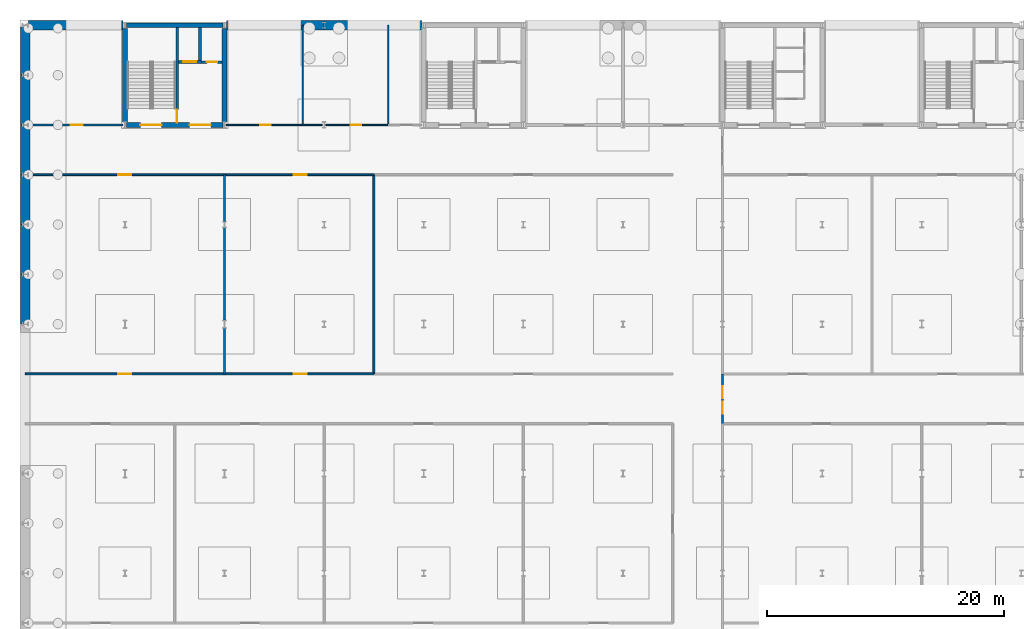
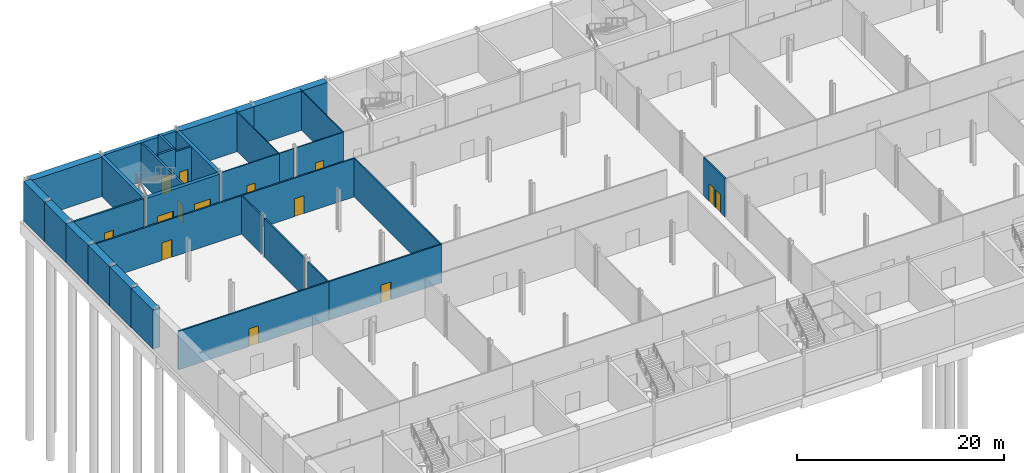
# One storey, part 14 of 22: 32 walls, 14 doors, 14 openings.
"""IFC4 building model written with IfcOpenShell, lengths in metres."""

from ifc_helpers import new_model, si_unit, direction, frame, frame_2d, origin, place, context, subcontext, project, spatial, rectangle, extrude, material, layer, layer_set, type_object, element, fill, save


model = new_model("IFC4")

# Units and contexts
model_context = context("Model", 3, precision=1e-05, world=origin(), true_north=direction((0.0, 1.0)))
body_context = subcontext(model_context, "Body", "Model", "MODEL_VIEW")
ifc_project = project(units=[si_unit("LENGTHUNIT", "METRE"), si_unit("AREAUNIT", "SQUARE_METRE"), si_unit("VOLUMEUNIT", "CUBIC_METRE"), si_unit("PLANEANGLEUNIT", "RADIAN"), si_unit("MASSUNIT", "GRAM", prefix="KILO")], contexts=[model_context])

# Site, building, storey
site_placement = place(None, origin())
site = spatial("IfcSite", under=ifc_project, at=site_placement, CompositionType="ELEMENT")
building_placement = place(site_placement, origin())
building = spatial("IfcBuilding", under=site, at=building_placement, Name="Galleria Vessillo Department Store", CompositionType="ELEMENT")
storey_placement = place(building_placement, frame((0.0, 0.0, -9.89990234375)))
storey = spatial("IfcBuildingStorey", under=building, at=storey_placement, Name="B2", CompositionType="ELEMENT", Elevation=-9.89990234375)

# Wall, opening, door
ifc_material_1 = material(Name="Insulated steel panel", Category="steel")
ifc_layer_1 = layer(ifc_material_1, 0.159912109375)
ifc_layer_set_1 = layer_set([ifc_layer_1], Name="Insulated steel panel")
wall_type_1 = type_object("IfcWallType", Name="Cold store insulated panel wall 160 mm", PredefinedType="PARTITIONING", material=ifc_layer_set_1)
wall_1_placement = place(storey_placement, frame((0.0, 33.60009765625, 0.0), z_axis=(0.0, 0.0, 1.0), x_axis=(1.0, 0.0, 0.0)))
wall_1 = element("IfcWall", 1, at=wall_1_placement, inside=storey, type_object=wall_type_1, Name="Partition wall PT5 on B2 no. 035", PredefinedType="PARTITIONING", context=body_context, shape_type="SweptSolid", body=[
    extrude(rectangle(XDim=16.800048828125, YDim=0.159912109375, at=frame_2d((8.39990234375, 0.0))), origin(), (0.0, 0.0, 1.0), 4.550048828125),
])
opening_1_placement = place(wall_1_placement, frame((7.85009765625, 0.0, 0.0)))
opening_1 = element("IfcOpeningElement", 2, at=opening_1_placement, cuts=wall_1, Name="Opening D2031", PredefinedType="OPENING", context=body_context, shape_type="SweptSolid", body=[
    extrude(rectangle(XDim=1.10009765625, YDim=2.10009765625, at=frame_2d((0.550048828125, 1.050048828125))), frame((0.0, 0.08984375, 0.0), z_axis=(0.0, -1.0, 0.0), x_axis=(1.0, 0.0, 0.0)), (0.0, 0.0, 1.0), 0.179931640625),
])
ifc_material_2 = material(Name="Steel fire door leaf", Category="steel")
door_type_1 = type_object("IfcDoorType", Name="Cold store insulated fire door 1100", OperationType="SINGLE_SWING_LEFT", PredefinedType="DOOR", material=ifc_material_2)
door_1_placement = place(opening_1_placement, origin())
door_1 = element("IfcDoor", 3, at=door_1_placement, inside=storey, type_object=door_type_1, Name="Door D2031", OperationType="SINGLE_SWING_LEFT", OverallHeight=2.10009765625, OverallWidth=1.10009765625, PredefinedType="DOOR", context=body_context, shape_type="SweptSolid", body=[
    extrude(rectangle(XDim=1.10009765625, YDim=2.10009765625, at=frame_2d((0.550048828125, 1.050048828125))), frame((0.0, 0.02490234375, 0.0), z_axis=(0.0, -1.0, 0.0), x_axis=(1.0, 0.0, 0.0)), (0.0, 0.0, 1.0), 0.050048828125),
])
fill(opening_1, door_1)

wall_2_placement = place(storey_placement, frame((16.800048828125, 33.60009765625, 0.0), z_axis=(0.0, 0.0, 1.0), x_axis=(1.0, 0.0, 0.0)))
wall_2 = element("IfcWall", 4, at=wall_2_placement, inside=storey, type_object=wall_type_1, Name="Partition wall PT5 on B2 no. 036", PredefinedType="PARTITIONING", context=body_context, shape_type="SweptSolid", body=[
    extrude(rectangle(XDim=12.599853515625, YDim=0.159912109375, at=frame_2d((6.2998046875, 0.0))), origin(), (0.0, 0.0, 1.0), 4.550048828125),
])
opening_2_placement = place(wall_2_placement, frame((5.85009765625, 0.0, 0.0)))
opening_2 = element("IfcOpeningElement", 5, at=opening_2_placement, cuts=wall_2, Name="Opening D2032", PredefinedType="OPENING", context=body_context, shape_type="SweptSolid", body=[
    extrude(rectangle(XDim=1.10009765625, YDim=2.10009765625, at=frame_2d((0.550048828125, 1.050048828125))), frame((0.0, 0.08984375, 0.0), z_axis=(0.0, -1.0, 0.0), x_axis=(1.0, 0.0, 0.0)), (0.0, 0.0, 1.0), 0.179931640625),
])
door_2_placement = place(opening_2_placement, origin())
door_2 = element("IfcDoor", 6, at=door_2_placement, inside=storey, type_object=door_type_1, Name="Door D2032", OperationType="SINGLE_SWING_RIGHT", OverallHeight=2.10009765625, OverallWidth=1.10009765625, PredefinedType="DOOR", context=body_context, shape_type="SweptSolid", body=[
    extrude(rectangle(XDim=1.10009765625, YDim=2.10009765625, at=frame_2d((0.550048828125, 1.050048828125))), frame((0.0, 0.02490234375, 0.0), z_axis=(0.0, -1.0, 0.0), x_axis=(1.0, 0.0, 0.0)), (0.0, 0.0, 1.0), 0.050048828125),
])
fill(opening_2, door_2)

wall_3_placement = place(storey_placement, frame((0.25, 50.39990234375, 0.0), z_axis=(0.0, 0.0, 1.0), x_axis=(1.0, 0.0, 0.0)))
wall_3 = element("IfcWall", 7, at=wall_3_placement, inside=storey, type_object=wall_type_1, Name="Partition wall PT5 on B2 no. 047", PredefinedType="PARTITIONING", context=body_context, shape_type="SweptSolid", body=[
    extrude(rectangle(XDim=16.550048828125, YDim=0.159912109375, at=frame_2d((8.27490234375, 0.0))), origin(), (0.0, 0.0, 1.0), 4.550048828125),
])
opening_3_placement = place(wall_3_placement, frame((7.60009765625, 0.0, 0.0)))
opening_3 = element("IfcOpeningElement", 8, at=opening_3_placement, cuts=wall_3, Name="Opening D2044", PredefinedType="OPENING", context=body_context, shape_type="SweptSolid", body=[
    extrude(rectangle(XDim=1.10009765625, YDim=2.10009765625, at=frame_2d((0.550048828125, 1.050048828125))), frame((0.0, 0.08984375, 0.0), z_axis=(0.0, -1.0, 0.0), x_axis=(1.0, 0.0, 0.0)), (0.0, 0.0, 1.0), 0.179931640625),
])
door_3_placement = place(opening_3_placement, frame((1.10009765625, 0.0, 0.0), z_axis=(0.0, 0.0, 1.0), x_axis=(-1.0, 0.0, 0.0)))
door_3 = element("IfcDoor", 9, at=door_3_placement, inside=storey, type_object=door_type_1, Name="Door D2044", OperationType="SINGLE_SWING_RIGHT", OverallHeight=2.10009765625, OverallWidth=1.10009765625, PredefinedType="DOOR", context=body_context, shape_type="SweptSolid", body=[
    extrude(rectangle(XDim=1.10009765625, YDim=2.10009765625, at=frame_2d((0.550048828125, 1.050048828125))), frame((0.0, 0.02490234375, 0.0), z_axis=(0.0, -1.0, 0.0), x_axis=(1.0, 0.0, 0.0)), (0.0, 0.0, 1.0), 0.050048828125),
])
fill(opening_3, door_3)

wall_4_placement = place(storey_placement, frame((16.800048828125, 50.39990234375, 0.0), z_axis=(0.0, 0.0, 1.0), x_axis=(1.0, 0.0, 0.0)))
wall_4 = element("IfcWall", 10, at=wall_4_placement, inside=storey, type_object=wall_type_1, Name="Partition wall PT5 on B2 no. 048", PredefinedType="PARTITIONING", context=body_context, shape_type="SweptSolid", body=[
    extrude(rectangle(XDim=12.599853515625, YDim=0.159912109375, at=frame_2d((6.2998046875, 0.0))), origin(), (0.0, 0.0, 1.0), 4.550048828125),
])
opening_4_placement = place(wall_4_placement, frame((5.85009765625, 0.0, 0.0)))
opening_4 = element("IfcOpeningElement", 11, at=opening_4_placement, cuts=wall_4, Name="Opening D2045", PredefinedType="OPENING", context=body_context, shape_type="SweptSolid", body=[
    extrude(rectangle(XDim=1.10009765625, YDim=2.10009765625, at=frame_2d((0.550048828125, 1.050048828125))), frame((0.0, 0.08984375, 0.0), z_axis=(0.0, -1.0, 0.0), x_axis=(1.0, 0.0, 0.0)), (0.0, 0.0, 1.0), 0.179931640625),
])
door_4_placement = place(opening_4_placement, frame((1.10009765625, 0.0, 0.0), z_axis=(0.0, 0.0, 1.0), x_axis=(-1.0, 0.0, 0.0)))
door_4 = element("IfcDoor", 12, at=door_4_placement, inside=storey, type_object=door_type_1, Name="Door D2045", OperationType="SINGLE_SWING_LEFT", OverallHeight=2.10009765625, OverallWidth=1.10009765625, PredefinedType="DOOR", context=body_context, shape_type="SweptSolid", body=[
    extrude(rectangle(XDim=1.10009765625, YDim=2.10009765625, at=frame_2d((0.550048828125, 1.050048828125))), frame((0.0, 0.02490234375, 0.0), z_axis=(0.0, -1.0, 0.0), x_axis=(1.0, 0.0, 0.0)), (0.0, 0.0, 1.0), 0.050048828125),
])
fill(opening_4, door_4)

# Walls
wall_5_placement = place(storey_placement, frame((16.800048828125, 33.60009765625, 0.0), z_axis=(0.0, 0.0, 1.0), x_axis=(0.0, 1.0, 0.0)))
element("IfcWall", 13, at=wall_5_placement, inside=storey, type_object=wall_type_1, Name="Partition wall PT5 on B2 no. 088", PredefinedType="PARTITIONING", context=body_context, shape_type="SweptSolid", body=[
    extrude(rectangle(XDim=3.865966796875, YDim=0.159912109375, at=frame_2d((1.93310546875, 0.0))), origin(), (0.0, 0.0, 1.0), 4.550048828125),
])
wall_6_placement = place(storey_placement, frame((16.800048828125, 38.134033203125, 0.0), z_axis=(0.0, 0.0, 1.0), x_axis=(0.0, 1.0, 0.0)))
element("IfcWall", 14, at=wall_6_placement, inside=storey, type_object=wall_type_1, Name="Partition wall PT5 on B2 no. 089", PredefinedType="PARTITIONING", context=body_context, shape_type="SweptSolid", body=[
    extrude(rectangle(XDim=7.81591796875, YDim=0.159912109375, at=frame_2d((3.907958984375, 0.0))), origin(), (0.0, 0.0, 1.0), 4.550048828125),
])
wall_7_placement = place(storey_placement, frame((16.800048828125, 46.449951171875, 0.0), z_axis=(0.0, 0.0, 1.0), x_axis=(0.0, 1.0, 0.0)))
element("IfcWall", 15, at=wall_7_placement, inside=storey, type_object=wall_type_1, Name="Partition wall PT5 on B2 no. 090", PredefinedType="PARTITIONING", context=body_context, shape_type="SweptSolid", body=[
    extrude(rectangle(XDim=3.949951171875, YDim=0.159912109375, at=frame_2d((1.97509765625, 0.0))), origin(), (0.0, 0.0, 1.0), 4.550048828125),
])
wall_8_placement = place(storey_placement, frame((29.39990234375, 33.60009765625, 0.0), z_axis=(0.0, 0.0, 1.0), x_axis=(0.0, 1.0, 0.0)))
element("IfcWall", 16, at=wall_8_placement, inside=storey, type_object=wall_type_1, Name="Partition wall PT5 on B2 no. 091", PredefinedType="PARTITIONING", context=body_context, shape_type="SweptSolid", body=[
    extrude(rectangle(XDim=16.7998046875, YDim=0.159912109375, at=frame_2d((8.39990234375, 0.0))), origin(), (0.0, 0.0, 1.0), 4.550048828125),
])
ifc_material_3 = material(Name="Concrete C32/40 reinforced", Category="concrete")
ifc_layer_2 = layer(ifc_material_3, 0.800048828125)
ifc_layer_set_2 = layer_set([ifc_layer_2], Name="Concrete C32/40 reinforced")
wall_type_2 = type_object("IfcWallType", Name="Diaphragm wall 800 mm", PredefinedType="SOLIDWALL", material=ifc_layer_set_2)
wall_9_placement = place(storey_placement, frame((0.25, 63.0, 0.0), z_axis=(0.0, 0.0, 1.0), x_axis=(1.0, 0.0, 0.0)))
element("IfcWall", 17, at=wall_9_placement, inside=storey, type_object=wall_type_2, Name="S-BW-N-B2-01", PredefinedType="SOLIDWALL", context=body_context, shape_type="SweptSolid", body=[
    extrude(rectangle(XDim=8.0, YDim=0.800048828125, at=frame_2d((4.0, 0.0))), origin(), (0.0, 0.0, 1.0), 4.64990234375),
])
wall_10_placement = place(storey_placement, frame((16.949951171875, 63.0, 0.0), z_axis=(0.0, 0.0, 1.0), x_axis=(1.0, 0.0, 0.0)))
element("IfcWall", 18, at=wall_10_placement, inside=storey, type_object=wall_type_2, Name="S-BW-N-B2-02", PredefinedType="SOLIDWALL", context=body_context, shape_type="SweptSolid", body=[
    extrude(rectangle(XDim=8.25, YDim=0.800048828125, at=frame_2d((4.125, 0.0))), origin(), (0.0, 0.0, 1.0), 4.64990234375),
])
wall_11_placement = place(storey_placement, frame((25.199951171875, 63.0, 0.0), z_axis=(0.0, 0.0, 1.0), x_axis=(1.0, 0.0, 0.0)))
element("IfcWall", 19, at=wall_11_placement, inside=storey, type_object=wall_type_2, Name="S-BW-N-B2-03", PredefinedType="SOLIDWALL", context=body_context, shape_type="SweptSolid", body=[
    extrude(rectangle(XDim=8.250244140625, YDim=0.800048828125, at=frame_2d((4.125, 0.0))), origin(), (0.0, 0.0, 1.0), 4.64990234375),
])
for number, where, z_axis, x_axis, name in (
    (20, (0.0, 37.800048828125, 0.0), (0.0, 0.0, 1.0), (0.0, 1.0, 0.0), "S-BW-W-B2-08"),
    (21, (0.0, 42.0, 0.0), (0.0, 0.0, 1.0), (0.0, 1.0, 0.0), "S-BW-W-B2-09"),
    (22, (0.0, 46.199951171875, 0.0), (0.0, 0.0, 1.0), (0.0, 1.0, 0.0), "S-BW-W-B2-10"),
):
    element("IfcWall", number, at=place(storey_placement, frame(where, z_axis=z_axis, x_axis=x_axis)), inside=storey, type_object=wall_type_2, Name=name, PredefinedType="SOLIDWALL", context=body_context, shape_type="SweptSolid", body=[
        extrude(rectangle(XDim=4.199951171875, YDim=0.800048828125, at=frame_2d((2.10009765625, 0.0))), origin(), (0.0, 0.0, 1.0), 4.64990234375),
    ])
wall_12_placement = place(storey_placement, frame((0.0, 50.39990234375, 0.0), z_axis=(0.0, 0.0, 1.0), x_axis=(0.0, 1.0, 0.0)))
element("IfcWall", 23, at=wall_12_placement, inside=storey, type_object=wall_type_2, Name="S-BW-W-B2-11", PredefinedType="SOLIDWALL", context=body_context, shape_type="SweptSolid", body=[
    extrude(rectangle(XDim=4.2001953125, YDim=0.800048828125, at=frame_2d((2.10009765625, 0.0))), origin(), (0.0, 0.0, 1.0), 4.64990234375),
])
wall_13_placement = place(storey_placement, frame((0.0, 54.60009765625, 0.0), z_axis=(0.0, 0.0, 1.0), x_axis=(0.0, 1.0, 0.0)))
element("IfcWall", 24, at=wall_13_placement, inside=storey, type_object=wall_type_2, Name="S-BW-W-B2-12", PredefinedType="SOLIDWALL", context=body_context, shape_type="SweptSolid", body=[
    extrude(rectangle(XDim=4.199951171875, YDim=0.800048828125, at=frame_2d((2.10009765625, 0.0))), origin(), (0.0, 0.0, 1.0), 4.64990234375),
])
wall_14_placement = place(storey_placement, frame((0.0, 58.800048828125, 0.0), z_axis=(0.0, 0.0, 1.0), x_axis=(0.0, 1.0, 0.0)))
element("IfcWall", 25, at=wall_14_placement, inside=storey, type_object=wall_type_2, Name="S-BW-W-B2-13", PredefinedType="SOLIDWALL", context=body_context, shape_type="SweptSolid", body=[
    extrude(rectangle(XDim=4.050048828125, YDim=0.800048828125, at=frame_2d((2.02490234375, 0.0))), origin(), (0.0, 0.0, 1.0), 4.64990234375),
])

# Wall, openings, doors
ifc_material_4 = material(Name="Concrete blockwork", Category="masonry")
ifc_layer_3 = layer(ifc_material_4, 0.14990234375)
ifc_layer_set_3 = layer_set([ifc_layer_3], Name="Concrete blockwork")
wall_type_3 = type_object("IfcWallType", Name="Fire-resisting dividing wall EI 120 150 mm", PredefinedType="SOLIDWALL", material=ifc_layer_set_3)
wall_15_placement = place(storey_placement, frame((58.800048828125, 29.39990234375, 0.0), z_axis=(0.0, 0.0, 1.0), x_axis=(0.0, 1.0, 0.0)))
wall_15 = element("IfcWall", 26, at=wall_15_placement, inside=storey, type_object=wall_type_3, Name="Partition wall PT12 on B2 no. 030", PredefinedType="SOLIDWALL", context=body_context, shape_type="SweptSolid", body=[
    extrude(rectangle(XDim=4.2001953125, YDim=0.14990234375, at=frame_2d((2.10009765625, 0.0))), origin(), (0.0, 0.0, 1.0), 4.550048828125),
])
opening_5_placement = place(wall_15_placement, frame((0.85009765625, 0.0, 0.0)))
opening_5 = element("IfcOpeningElement", 27, at=opening_5_placement, cuts=wall_15, Name="Opening D2025", PredefinedType="OPENING", context=body_context, shape_type="SweptSolid", body=[
    extrude(rectangle(XDim=1.0, YDim=2.10009765625, at=frame_2d((0.5, 1.050048828125))), frame((0.0, 0.0849609375, 0.0), z_axis=(0.0, -1.0, 0.0), x_axis=(1.0, 0.0, 0.0)), (0.0, 0.0, 1.0), 0.169921875),
])
opening_6_placement = place(wall_15_placement, frame((2.14990234375, 0.0, 0.0)))
opening_6 = element("IfcOpeningElement", 28, at=opening_6_placement, cuts=wall_15, Name="Opening D2026", PredefinedType="OPENING", context=body_context, shape_type="SweptSolid", body=[
    extrude(rectangle(XDim=1.0, YDim=2.10009765625, at=frame_2d((0.5, 1.050048828125))), frame((0.0, 0.0849609375, 0.0), z_axis=(0.0, -1.0, 0.0), x_axis=(1.0, 0.0, 0.0)), (0.0, 0.0, 1.0), 0.169921875),
])
ifc_material_5 = material(Name="Steel fire door leaf", Category="steel")
door_type_2 = type_object("IfcDoorType", Name="Fire door EI2 120-Sa 1000 single leaf", OperationType="SINGLE_SWING_LEFT", PredefinedType="DOOR", material=ifc_material_5)
door_5_placement = place(opening_5_placement, origin())
door_5 = element("IfcDoor", 29, at=door_5_placement, inside=storey, type_object=door_type_2, Name="Door D2025", OperationType="SINGLE_SWING_LEFT", OverallHeight=2.10009765625, OverallWidth=1.0, PredefinedType="DOOR", context=body_context, shape_type="SweptSolid", body=[
    extrude(rectangle(XDim=1.0, YDim=2.10009765625, at=frame_2d((0.5, 1.050048828125))), frame((0.0, 0.02490234375, 0.0), z_axis=(0.0, -1.0, 0.0), x_axis=(1.0, 0.0, 0.0)), (0.0, 0.0, 1.0), 0.050048828125),
])
fill(opening_5, door_5)
door_6_placement = place(opening_6_placement, frame((1.0, 0.0, 0.0), z_axis=(0.0, 0.0, 1.0), x_axis=(-1.0, 0.0, 0.0)))
door_6 = element("IfcDoor", 30, at=door_6_placement, inside=storey, type_object=door_type_2, Name="Door D2026", OperationType="SINGLE_SWING_LEFT", OverallHeight=2.10009765625, OverallWidth=1.0, PredefinedType="DOOR", context=body_context, shape_type="SweptSolid", body=[
    extrude(rectangle(XDim=1.0, YDim=2.10009765625, at=frame_2d((0.5, 1.050048828125))), frame((0.0, 0.02490234375, 0.0), z_axis=(0.0, -1.0, 0.0), x_axis=(1.0, 0.0, 0.0)), (0.0, 0.0, 1.0), 0.050048828125),
])
fill(opening_6, door_6)

# Wall, opening, door
ifc_material_6 = material(Name="Solid clay block masonry", Category="masonry")
ifc_layer_4 = layer(ifc_material_6, 0.25)
ifc_layer_set_4 = layer_set([ifc_layer_4], Name="Solid clay block masonry")
wall_type_4 = type_object("IfcWallType", Name="Lift shaft wall 250 mm", PredefinedType="SOLIDWALL", material=ifc_layer_set_4)
wall_16_placement = place(storey_placement, frame((12.89990234375, 59.925048828125, -1.400146484375), z_axis=(0.0, 0.0, 1.0), x_axis=(1.0, 0.0, 0.0)))
wall_16 = element("IfcWall", 31, at=wall_16_placement, inside=storey, type_object=wall_type_4, Name="Lift shaft wall LP2 landing side B2", PredefinedType="SOLIDWALL", context=body_context, shape_type="SweptSolid", body=[
    extrude(rectangle(XDim=1.9501953125, YDim=0.25, at=frame_2d((0.97509765625, 0.0))), origin(), (0.0, 0.0, 1.0), 6.400146484375),
])
opening_7_placement = place(wall_16_placement, frame((0.425048828125, 0.0, 1.400146484375)))
opening_7 = element("IfcOpeningElement", 32, at=opening_7_placement, cuts=wall_16, Name="Opening LD009", PredefinedType="OPENING", context=body_context, shape_type="SweptSolid", body=[
    extrude(rectangle(XDim=1.10009765625, YDim=2.10009765625, at=frame_2d((0.550048828125, 1.050048828125))), frame((0.0, 0.135009765625, 0.0), z_axis=(0.0, -1.0, 0.0), x_axis=(1.0, 0.0, 0.0)), (0.0, 0.0, 1.0), 0.27001953125),
])
ifc_material_7 = material(Name="Stainless steel lift door panel", Category="steel")
door_type_3 = type_object("IfcDoorType", Name="Lift landing door LD110 sliding 1100 x 2100", OperationType="SLIDING_TO_LEFT", PredefinedType="DOOR", material=ifc_material_7)
door_7_placement = place(opening_7_placement, frame((1.10009765625, 0.0, 0.0), z_axis=(0.0, 0.0, 1.0), x_axis=(-1.0, 0.0, 0.0)))
door_7 = element("IfcDoor", 33, at=door_7_placement, inside=storey, type_object=door_type_3, Name="Lift landing door LP2 B2", OperationType="SLIDING_TO_RIGHT", OverallHeight=2.10009765625, OverallWidth=1.10009765625, PredefinedType="DOOR", context=body_context, shape_type="SweptSolid", body=[
    extrude(rectangle(XDim=1.10009765625, YDim=2.10009765625, at=frame_2d((0.550048828125, 1.050048828125))), frame((0.0, 0.02490234375, 0.0), z_axis=(0.0, -1.0, 0.0), x_axis=(1.0, 0.0, 0.0)), (0.0, 0.0, 1.0), 0.050048828125),
])
fill(opening_7, door_7)

# Wall
wall_17_placement = place(storey_placement, frame((14.72509765625, 62.800048828125, -1.400146484375), z_axis=(0.0, 0.0, 1.0), x_axis=(0.0, -1.0, 0.0)))
element("IfcWall", 34, at=wall_17_placement, inside=storey, type_object=wall_type_4, Name="Lift shaft wall LP2 B2", PredefinedType="SOLIDWALL", context=body_context, shape_type="SweptSolid", body=[
    extrude(rectangle(XDim=2.75, YDim=0.25, at=frame_2d((1.375, 0.0))), origin(), (0.0, 0.0, 1.0), 6.400146484375),
])

# Wall, opening, door
ifc_material_8 = material(Name="Concrete blockwork", Category="masonry")
ifc_layer_5 = layer(ifc_material_8, 0.18994140625)
ifc_layer_set_5 = layer_set([ifc_layer_5], Name="Concrete blockwork")
wall_type_5 = type_object("IfcWallType", Name="Refuse store and dock blockwork wall 190 mm", PredefinedType="SOLIDWALL", material=ifc_layer_set_5)
wall_18_placement = place(storey_placement, frame((0.25, 54.60009765625, 0.0), z_axis=(0.0, 0.0, 1.0), x_axis=(1.0, 0.0, 0.0)))
wall_18 = element("IfcWall", 35, at=wall_18_placement, inside=storey, type_object=wall_type_5, Name="Partition wall PT7 on B2 no. 050", PredefinedType="SOLIDWALL", context=body_context, shape_type="SweptSolid", body=[
    extrude(rectangle(XDim=8.0, YDim=0.18994140625, at=frame_2d((4.0, 0.0))), origin(), (0.0, 0.0, 1.0), 4.64990234375),
])
opening_8_placement = place(wall_18_placement, frame((3.60009765625, 0.0, 0.0)))
opening_8 = element("IfcOpeningElement", 36, at=opening_8_placement, cuts=wall_18, Name="Opening D2047", PredefinedType="OPENING", context=body_context, shape_type="SweptSolid", body=[
    extrude(rectangle(XDim=1.0, YDim=2.10009765625, at=frame_2d((0.5, 1.050048828125))), frame((0.0, 0.10498046875, 0.0), z_axis=(0.0, -1.0, 0.0), x_axis=(1.0, 0.0, 0.0)), (0.0, 0.0, 1.0), 0.2099609375),
])
ifc_material_9 = material(Name="Steel fire door leaf", Category="steel")
door_type_4 = type_object("IfcDoorType", Name="Fire door 1000 single leaf", OperationType="SINGLE_SWING_LEFT", PredefinedType="DOOR", material=ifc_material_9)
door_8_placement = place(opening_8_placement, origin())
door_8 = element("IfcDoor", 37, at=door_8_placement, inside=storey, type_object=door_type_4, Name="Door D2047", OperationType="SINGLE_SWING_LEFT", OverallHeight=2.10009765625, OverallWidth=1.0, PredefinedType="DOOR", context=body_context, shape_type="SweptSolid", body=[
    extrude(rectangle(XDim=1.0, YDim=2.10009765625, at=frame_2d((0.5, 1.050048828125))), frame((0.0, 0.02490234375, 0.0), z_axis=(0.0, -1.0, 0.0), x_axis=(1.0, 0.0, 0.0)), (0.0, 0.0, 1.0), 0.050048828125),
])
fill(opening_8, door_8)

# Wall, openings, doors
ifc_material_10 = material(Name="Concrete C32/40 reinforced", Category="concrete")
ifc_layer_6 = layer(ifc_material_10, 0.39990234375)
ifc_layer_set_6 = layer_set([ifc_layer_6], Name="Concrete C32/40 reinforced")
wall_type_6 = type_object("IfcWallType", Name="Reinforced concrete core wall 400 mm", PredefinedType="SHEAR", material=ifc_layer_set_6)
wall_19_placement = place(storey_placement, frame((8.5498046875, 54.60009765625, 0.0), z_axis=(0.0, 0.0, 1.0), x_axis=(1.0, 0.0, 0.0)))
wall_19 = element("IfcWall", 38, at=wall_19_placement, inside=storey, type_object=wall_type_6, Name="S-CW-PC-NW-INTERIOR-B2", PredefinedType="SHEAR", context=body_context, shape_type="SweptSolid", body=[
    extrude(rectangle(XDim=8.100341796875, YDim=0.39990234375, at=frame_2d((4.05029296875, 0.0))), origin(), (0.0, 0.0, 1.0), 4.64990234375),
])
opening_9_placement = place(wall_19_placement, frame((1.150146484375, 0.0, 0.0)))
opening_9 = element("IfcOpeningElement", 39, at=opening_9_placement, cuts=wall_19, Name="Opening D5035", PredefinedType="OPENING", context=body_context, shape_type="SweptSolid", body=[
    extrude(rectangle(XDim=1.800048828125, YDim=2.10009765625, at=frame_2d((0.89990234375, 1.050048828125))), frame((0.0, 0.2099609375, 0.0), z_axis=(0.0, -1.0, 0.0), x_axis=(1.0, 0.0, 0.0)), (0.0, 0.0, 1.0), 0.419921875),
])
opening_10_placement = place(wall_19_placement, frame((5.300048828125, 0.0, 0.0)))
opening_10 = element("IfcOpeningElement", 40, at=opening_10_placement, cuts=wall_19, Name="Opening D5036", PredefinedType="OPENING", context=body_context, shape_type="SweptSolid", body=[
    extrude(rectangle(XDim=1.800048828125, YDim=2.10009765625, at=frame_2d((0.89990234375, 1.050048828125))), frame((0.0, 0.2099609375, 0.0), z_axis=(0.0, -1.0, 0.0), x_axis=(1.0, 0.0, 0.0)), (0.0, 0.0, 1.0), 0.419921875),
])
ifc_material_11 = material(Name="Fire-rated steel door leaf", Category="steel")
door_type_5 = type_object("IfcDoorType", Name="Door D180F double leaf 1800 x 2100", OperationType="DOUBLE_DOOR_SINGLE_SWING", PredefinedType="DOOR", material=ifc_material_11)
door_9_placement = place(opening_9_placement, origin())
door_9 = element("IfcDoor", 41, at=door_9_placement, inside=storey, type_object=door_type_5, Name="Lobby door PC-NW-ST-FLOOR B2", OperationType="DOUBLE_DOOR_SINGLE_SWING", OverallHeight=2.10009765625, OverallWidth=1.800048828125, PredefinedType="DOOR", context=body_context, shape_type="SweptSolid", body=[
    extrude(rectangle(XDim=1.800048828125, YDim=2.10009765625, at=frame_2d((0.89990234375, 1.050048828125))), frame((0.0, 0.02490234375, 0.0), z_axis=(0.0, -1.0, 0.0), x_axis=(1.0, 0.0, 0.0)), (0.0, 0.0, 1.0), 0.050048828125),
])
fill(opening_9, door_9)
door_10_placement = place(opening_10_placement, frame((1.800048828125, 0.0, 0.0), z_axis=(0.0, 0.0, 1.0), x_axis=(-1.0, 0.0, 0.0)))
door_10 = element("IfcDoor", 42, at=door_10_placement, inside=storey, type_object=door_type_5, Name="Lobby door PC-NW-LOBBY-FLOOR B2", OperationType="DOUBLE_DOOR_SINGLE_SWING", OverallHeight=2.10009765625, OverallWidth=1.800048828125, PredefinedType="DOOR", context=body_context, shape_type="SweptSolid", body=[
    extrude(rectangle(XDim=1.800048828125, YDim=2.10009765625, at=frame_2d((0.89990234375, 1.050048828125))), frame((0.0, 0.02490234375, 0.0), z_axis=(0.0, -1.0, 0.0), x_axis=(1.0, 0.0, 0.0)), (0.0, 0.0, 1.0), 0.050048828125),
])
fill(opening_10, door_10)

# Walls
wall_20_placement = place(storey_placement, frame((16.800048828125, 54.85009765625, 0.0), z_axis=(0.0, 0.0, 1.0), x_axis=(0.0, 1.0, 0.0)))
element("IfcWall", 43, at=wall_20_placement, inside=storey, type_object=wall_type_6, Name="S-CW-PC-NW-EAST-B2", PredefinedType="SHEAR", context=body_context, shape_type="SweptSolid", body=[
    extrude(rectangle(XDim=7.89990234375, YDim=0.39990234375, at=frame_2d((3.949951171875, 0.0))), origin(), (0.0, 0.0, 1.0), 4.64990234375),
])
ifc_material_12 = material(Name="Concrete C32/40 reinforced", Category="concrete")
ifc_layer_7 = layer(ifc_material_12, 0.39990234375)
ifc_layer_set_7 = layer_set([ifc_layer_7], Name="Concrete C32/40 reinforced")
wall_type_7 = type_object("IfcWallType", Name="Reinforced concrete core wall 400 mm, external", PredefinedType="SHEAR", material=ifc_layer_set_7)
wall_21_placement = place(storey_placement, frame((8.5498046875, 63.0, 0.0), z_axis=(0.0, 0.0, 1.0), x_axis=(1.0, 0.0, 0.0)))
element("IfcWall", 44, at=wall_21_placement, inside=storey, type_object=wall_type_7, Name="S-CW-PC-NW-PARTY-B2", PredefinedType="SHEAR", context=body_context, shape_type="SweptSolid", body=[
    extrude(rectangle(XDim=8.100341796875, YDim=0.39990234375, at=frame_2d((4.05029296875, 0.0))), origin(), (0.0, 0.0, 1.0), 4.64990234375),
])
wall_22_placement = place(storey_placement, frame((8.39990234375, 54.85009765625, 0.0), z_axis=(0.0, 0.0, 1.0), x_axis=(0.0, 1.0, 0.0)))
element("IfcWall", 45, at=wall_22_placement, inside=storey, type_object=wall_type_7, Name="S-CW-PC-NW-WEST-B2", PredefinedType="SHEAR", context=body_context, shape_type="SweptSolid", body=[
    extrude(rectangle(XDim=7.89990234375, YDim=0.39990234375, at=frame_2d((3.949951171875, 0.0))), origin(), (0.0, 0.0, 1.0), 4.64990234375),
])

# Wall, opening, door
ifc_material_13 = material(Name="Concrete C32/40 reinforced", Category="concrete")
ifc_layer_8 = layer(ifc_material_13, 0.199951171875)
ifc_layer_set_8 = layer_set([ifc_layer_8], Name="Concrete C32/40 reinforced")
wall_type_8 = type_object("IfcWallType", Name="Reinforced concrete stair enclosure wall 200 mm", PredefinedType="SHEAR", material=ifc_layer_set_8)
wall_23_placement = place(storey_placement, frame((12.7998046875, 62.800048828125, 0.0), z_axis=(0.0, 0.0, 1.0), x_axis=(0.0, -1.0, 0.0)))
wall_23 = element("IfcWall", 46, at=wall_23_placement, inside=storey, type_object=wall_type_8, Name="Stair enclosure wall PC-NW B2", PredefinedType="SHEAR", context=body_context, shape_type="SweptSolid", body=[
    extrude(rectangle(XDim=8.0, YDim=0.199951171875, at=frame_2d((4.0, 0.0))), origin(), (0.0, 0.0, 1.0), 4.64990234375),
])
opening_11_placement = place(wall_23_placement, frame((6.89990234375, 0.0, 0.0)))
opening_11 = element("IfcOpeningElement", 47, at=opening_11_placement, cuts=wall_23, Name="Opening D5033", PredefinedType="OPENING", context=body_context, shape_type="SweptSolid", body=[
    extrude(rectangle(XDim=1.11009765625, YDim=2.10009765625, at=frame_2d((0.554931640625, 1.050048828125))), frame((0.0, 0.10986328125, 0.0), z_axis=(0.0, -1.0, 0.0), x_axis=(1.0, 0.0, 0.0)), (0.0, 0.0, 1.0), 0.219970703125),
])
ifc_material_14 = material(Name="Fire-rated steel door leaf", Category="steel")
door_type_6 = type_object("IfcDoorType", Name="Door D110F stair door 1100 x 2100", OperationType="SINGLE_SWING_LEFT", PredefinedType="DOOR", material=ifc_material_14)
door_11_placement = place(opening_11_placement, frame((1.10009765625, 0.0, 0.0), z_axis=(0.0, 0.0, 1.0), x_axis=(-1.0, 0.0, 0.0)))
door_11 = element("IfcDoor", 48, at=door_11_placement, inside=storey, type_object=door_type_6, Name="Stair door PC-NW-ST-LOBBY B2", OperationType="SINGLE_SWING_LEFT", OverallHeight=2.10009765625, OverallWidth=1.10009765625, PredefinedType="DOOR", context=body_context, shape_type="SweptSolid", body=[
    extrude(rectangle(XDim=1.10009765625, YDim=2.10009765625, at=frame_2d((0.550048828125, 1.050048828125))), frame((0.0, 0.02490234375, 0.0), z_axis=(0.0, -1.0, 0.0), x_axis=(1.0, 0.0, 0.0)), (0.0, 0.0, 1.0), 0.050048828125),
])
fill(opening_11, door_11)

ifc_material_15 = material(Name="Hollow clay block masonry", Category="masonry")
ifc_layer_9 = layer(ifc_material_15, 0.199951171875)
ifc_layer_set_9 = layer_set([ifc_layer_9], Name="Hollow clay block masonry")
wall_type_9 = type_object("IfcWallType", Name="Riser and service room wall 200 mm", PredefinedType="PARTITIONING", material=ifc_layer_set_9)
wall_24_placement = place(storey_placement, frame((14.85009765625, 59.900146484375, 0.0), z_axis=(0.0, 0.0, 1.0), x_axis=(1.0, 0.0, 0.0)))
wall_24 = element("IfcWall", 49, at=wall_24_placement, inside=storey, type_object=wall_type_9, Name="Riser wall PC-NW-RISER B2", PredefinedType="PARTITIONING", context=body_context, shape_type="SweptSolid", body=[
    extrude(rectangle(XDim=1.75, YDim=0.199951171875, at=frame_2d((0.875, 0.0))), origin(), (0.0, 0.0, 1.0), 4.64990234375),
])
opening_12_placement = place(wall_24_placement, frame((0.449951171875, 0.0, 0.0)))
opening_12 = element("IfcOpeningElement", 50, at=opening_12_placement, cuts=wall_24, Name="Opening D5034", PredefinedType="OPENING", context=body_context, shape_type="SweptSolid", body=[
    extrude(rectangle(XDim=0.89990234375, YDim=2.10009765625, at=frame_2d((0.449951171875, 1.050048828125))), frame((0.0, 0.10986328125, 0.0), z_axis=(0.0, -1.0, 0.0), x_axis=(1.0, 0.0, 0.0)), (0.0, 0.0, 1.0), 0.219970703125),
])
ifc_material_16 = material(Name="Fire-rated steel door leaf", Category="steel")
door_type_7 = type_object("IfcDoorType", Name="Door DR90 riser access 900 x 2100", OperationType="SINGLE_SWING_LEFT", PredefinedType="DOOR", material=ifc_material_16)
door_12_placement = place(opening_12_placement, origin())
door_12 = element("IfcDoor", 51, at=door_12_placement, inside=storey, type_object=door_type_7, Name="Riser door PC-NW-RISER-D B2", OperationType="SINGLE_SWING_RIGHT", OverallHeight=2.10009765625, OverallWidth=0.89990234375, PredefinedType="DOOR", context=body_context, shape_type="SweptSolid", body=[
    extrude(rectangle(XDim=0.89990234375, YDim=2.10009765625, at=frame_2d((0.449951171875, 1.050048828125))), frame((0.0, 0.02490234375, 0.0), z_axis=(0.0, -1.0, 0.0), x_axis=(1.0, 0.0, 0.0)), (0.0, 0.0, 1.0), 0.050048828125),
])
fill(opening_12, door_12)

ifc_material_17 = material(Name="Moisture-resistant board partition")
ifc_layer_10 = layer(ifc_material_17, 0.10009765625)
ifc_layer_set_10 = layer_set([ifc_layer_10], Name="Moisture-resistant board partition")
wall_type_10 = type_object("IfcWallType", Name="WC and cubicle partition 100 mm", PredefinedType="PARTITIONING", material=ifc_layer_set_10)
wall_25_placement = place(storey_placement, frame((16.949951171875, 54.60009765625, 0.0), z_axis=(0.0, 0.0, 1.0), x_axis=(1.0, 0.0, 0.0)))
wall_25 = element("IfcWall", 52, at=wall_25_placement, inside=storey, type_object=wall_type_10, Name="Partition wall PT1 on B2 no. 051", PredefinedType="PARTITIONING", context=body_context, shape_type="SweptSolid", body=[
    extrude(rectangle(XDim=6.449951171875, YDim=0.10009765625, at=frame_2d((3.22509765625, 0.0))), origin(), (0.0, 0.0, 1.0), 4.64990234375),
])
opening_13_placement = place(wall_25_placement, frame((2.85009765625, 0.0, 0.0)))
opening_13 = element("IfcOpeningElement", 53, at=opening_13_placement, cuts=wall_25, Name="Opening D2048", PredefinedType="OPENING", context=body_context, shape_type="SweptSolid", body=[
    extrude(rectangle(XDim=0.89990234375, YDim=2.10009765625, at=frame_2d((0.449951171875, 1.050048828125))), frame((0.0, 0.06005859375, 0.0), z_axis=(0.0, -1.0, 0.0), x_axis=(1.0, 0.0, 0.0)), (0.0, 0.0, 1.0), 0.1201171875),
])
ifc_material_18 = material(Name="Timber and glass door leaf", Category="wood")
door_type_8 = type_object("IfcDoorType", Name="Floor door 900 single leaf", OperationType="SINGLE_SWING_LEFT", PredefinedType="DOOR", material=ifc_material_18)
door_13_placement = place(opening_13_placement, origin())
door_13 = element("IfcDoor", 54, at=door_13_placement, inside=storey, type_object=door_type_8, Name="Door D2048", OperationType="SINGLE_SWING_LEFT", OverallHeight=2.10009765625, OverallWidth=0.89990234375, PredefinedType="DOOR", context=body_context, shape_type="SweptSolid", body=[
    extrude(rectangle(XDim=0.89990234375, YDim=2.10009765625, at=frame_2d((0.449951171875, 1.050048828125))), frame((0.0, 0.02490234375, 0.0), z_axis=(0.0, -1.0, 0.0), x_axis=(1.0, 0.0, 0.0)), (0.0, 0.0, 1.0), 0.050048828125),
])
fill(opening_13, door_13)

# Wall
wall_26_placement = place(storey_placement, frame((23.39990234375, 54.60009765625, 0.0), z_axis=(0.0, 0.0, 1.0), x_axis=(1.0, 0.0, 0.0)))
element("IfcWall", 55, at=wall_26_placement, inside=storey, type_object=wall_type_10, Name="Partition wall PT1 on B2 no. 052", PredefinedType="PARTITIONING", context=body_context, shape_type="SweptSolid", body=[
    extrude(rectangle(XDim=1.650146484375, YDim=0.10009765625, at=frame_2d((0.8251953125, 0.0))), origin(), (0.0, 0.0, 1.0), 4.64990234375),
])

# Wall, opening, door
wall_27_placement = place(storey_placement, frame((25.349853515625, 54.60009765625, 0.0), z_axis=(0.0, 0.0, 1.0), x_axis=(1.0, 0.0, 0.0)))
wall_27 = element("IfcWall", 56, at=wall_27_placement, inside=storey, type_object=wall_type_10, Name="Partition wall PT1 on B2 no. 053", PredefinedType="PARTITIONING", context=body_context, shape_type="SweptSolid", body=[
    extrude(rectangle(XDim=5.250244140625, YDim=0.10009765625, at=frame_2d((2.625, 0.0))), origin(), (0.0, 0.0, 1.0), 4.64990234375),
])
opening_14_placement = place(wall_27_placement, frame((2.10009765625, 0.0, 0.0)))
opening_14 = element("IfcOpeningElement", 57, at=opening_14_placement, cuts=wall_27, Name="Opening D2049", PredefinedType="OPENING", context=body_context, shape_type="SweptSolid", body=[
    extrude(rectangle(XDim=0.89990234375, YDim=2.10009765625, at=frame_2d((0.449951171875, 1.050048828125))), frame((0.0, 0.06005859375, 0.0), z_axis=(0.0, -1.0, 0.0), x_axis=(1.0, 0.0, 0.0)), (0.0, 0.0, 1.0), 0.1201171875),
])
door_14_placement = place(opening_14_placement, origin())
door_14 = element("IfcDoor", 58, at=door_14_placement, inside=storey, type_object=door_type_8, Name="Door D2049", OperationType="SINGLE_SWING_RIGHT", OverallHeight=2.10009765625, OverallWidth=0.89990234375, PredefinedType="DOOR", context=body_context, shape_type="SweptSolid", body=[
    extrude(rectangle(XDim=0.89990234375, YDim=2.10009765625, at=frame_2d((0.449951171875, 1.050048828125))), frame((0.0, 0.02490234375, 0.0), z_axis=(0.0, -1.0, 0.0), x_axis=(1.0, 0.0, 0.0)), (0.0, 0.0, 1.0), 0.050048828125),
])
fill(opening_14, door_14)

# Walls
for number, where, z_axis, x_axis, name in (
    (59, (23.39990234375, 54.60009765625, 0.0), (0.0, 0.0, 1.0), (0.0, 1.0, 0.0), "Partition wall PT1 on B2 no. 098"),
    (60, (30.60009765625, 54.60009765625, 0.0), (0.0, 0.0, 1.0), (0.0, 1.0, 0.0), "Partition wall PT1 on B2 no. 099"),
):
    element("IfcWall", number, at=place(storey_placement, frame(where, z_axis=z_axis, x_axis=x_axis)), inside=storey, type_object=wall_type_10, Name=name, PredefinedType="PARTITIONING", context=body_context, shape_type="SweptSolid", body=[
        extrude(rectangle(XDim=8.39990234375, YDim=0.10009765625, at=frame_2d((4.199951171875, 0.0))), origin(), (0.0, 0.0, 1.0), 4.64990234375),
    ])

save(model, "model.ifc")
